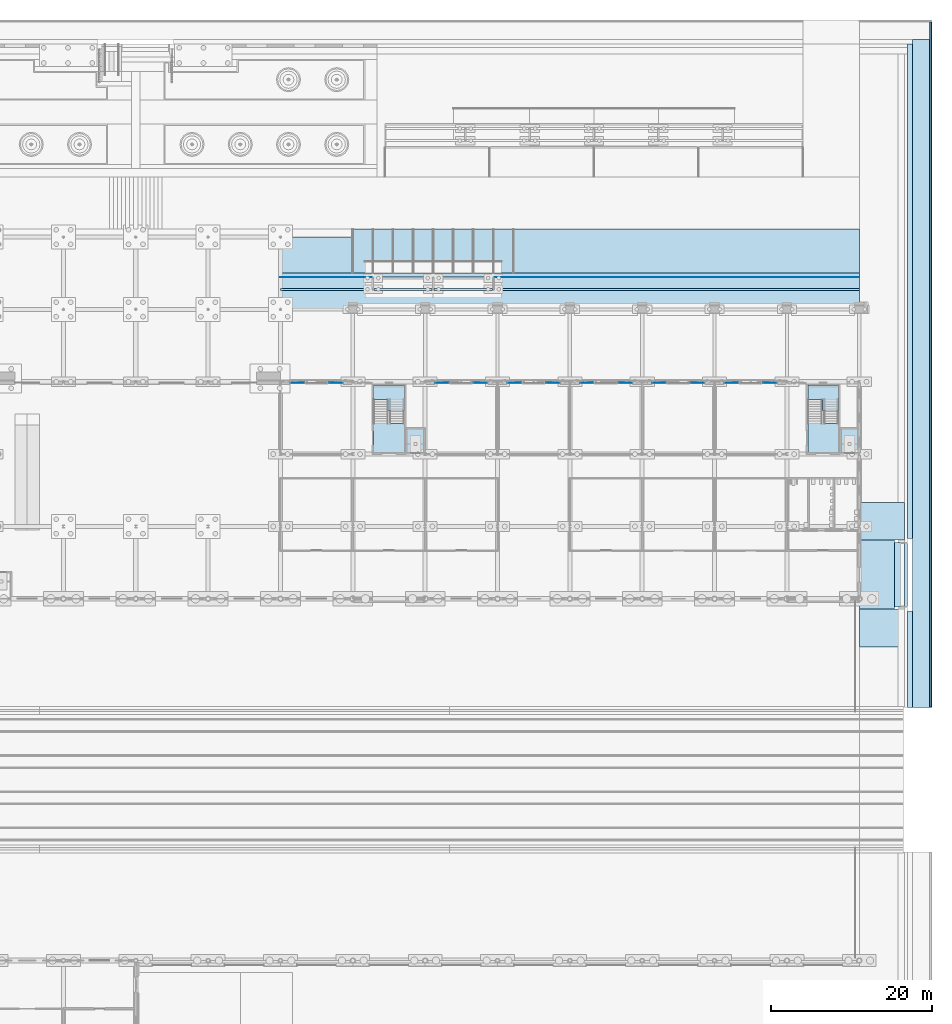
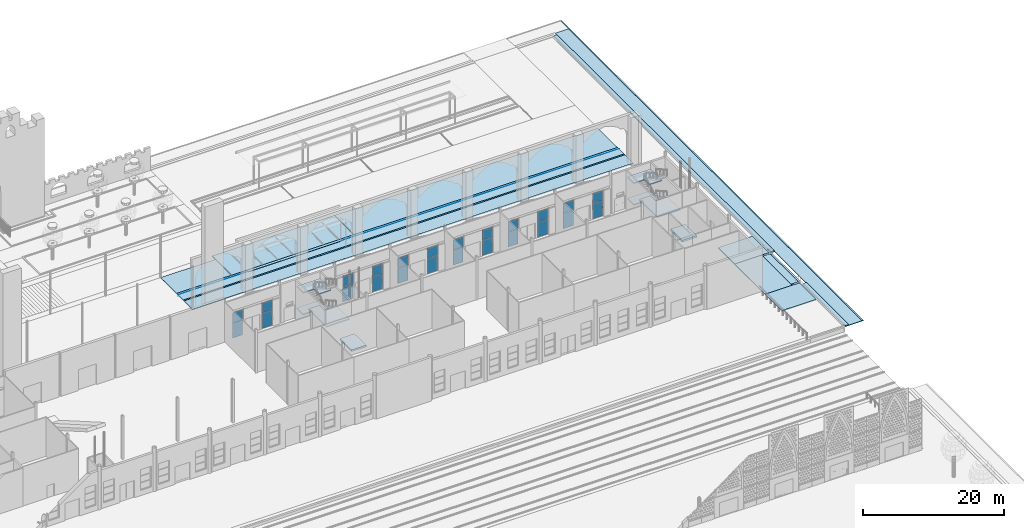
# One storey, part 81 of 250: 29 slabs, 24 plates, 14 elements without a shape of their own.
"""IFC4 building model written with IfcOpenShell, lengths in metres."""

from ifc_helpers import new_model, si_unit, direction, frame, origin, origin_2d, place, context, subcontext, project, spatial, polyline, rectangle, outline, extrude, material, layer, layer_set, type_object, element, aggregate, save


model = new_model("IFC4")

# Units and contexts
model_context = context("Model", 3, precision=1e-05, world=origin(), true_north=direction((0.0, 1.0)))
body_context = subcontext(model_context, "Body", "Model", "MODEL_VIEW")
ifc_project = project(units=[si_unit("LENGTHUNIT", "METRE"), si_unit("AREAUNIT", "SQUARE_METRE"), si_unit("VOLUMEUNIT", "CUBIC_METRE"), si_unit("PLANEANGLEUNIT", "RADIAN"), si_unit("MASSUNIT", "GRAM", prefix="KILO")], contexts=[model_context])

# Site, building, storey
site_placement = place(None, origin())
site = spatial("IfcSite", under=ifc_project, at=site_placement, CompositionType="ELEMENT")
building_placement = place(site_placement, origin())
building = spatial("IfcBuilding", under=site, at=building_placement, Name="Baradari Gate Terminus", CompositionType="ELEMENT")
storey_placement = place(building_placement, origin())
storey = spatial("IfcBuildingStorey", under=building, at=storey_placement, Name="L00", CompositionType="ELEMENT", Elevation=0.0)

# Slabs
ifc_material_1 = material(Name="Concrete C32/40", Category="concrete")
ifc_layer_1 = layer(ifc_material_1, 0.12)
ifc_material_2 = material(Name="Asphalt")
ifc_layer_2 = layer(ifc_material_2, 0.08)
ifc_layer_set_1 = layer_set([ifc_layer_1, ifc_layer_2], Name="Concrete C32/40")
slab_type_1 = type_object("IfcSlabType", Name="Asphalt carriageway slab SL14 200", PredefinedType="BASESLAB", material=ifc_layer_set_1)
slab_1_placement = place(storey_placement, frame((0.0, 0.0, -0.199951171875)))
element("IfcSlab", 1, at=slab_1_placement, inside=storey, type_object=slab_type_1, Name="Taxi rank", PredefinedType="BASESLAB", context=body_context, shape_type="SweptSolid", body=[
    extrude(outline(polyline([(200.0, 121.5), (200.0, 127.0), (180.0, 127.0), (180.0, 121.5), (200.0, 121.5)])), origin(), (0.0, 0.0, 1.0), 0.199951171875),
])
ifc_layer_3 = layer(ifc_material_1, 0.11)
ifc_material_3 = material(Name="Concrete paving flags", Category="concrete")
ifc_layer_4 = layer(ifc_material_3, 0.04)
ifc_layer_set_2 = layer_set([ifc_layer_3, ifc_layer_4], Name="Concrete C32/40")
slab_type_2 = type_object("IfcSlabType", Name="Concrete paving slab SL12 150", PredefinedType="BASESLAB", material=ifc_layer_set_2)
slab_2_placement = place(storey_placement, frame((0.0, 0.0, -0.14990234375)))
element("IfcSlab", 2, at=slab_2_placement, inside=storey, type_object=slab_type_2, Name="Forecourt plaza 1", PredefinedType="BASESLAB", context=body_context, shape_type="SweptSolid", body=[
    extrude(outline(polyline([(243.0, 117.0), (243.0, 119.373046875), (171.0, 119.373046875), (171.0, 117.0), (243.0, 117.0)])), origin(), (0.0, 0.0, 1.0), 0.14990234375),
])
slab_3_placement = place(storey_placement, frame((0.0, 0.0, -0.14990234375)))
element("IfcSlab", 3, at=slab_3_placement, inside=storey, type_object=slab_type_2, Name="Forecourt plaza 2", PredefinedType="BASESLAB", context=body_context, shape_type="SweptSolid", body=[
    extrude(outline(polyline([(182.373046875, 119.373046875), (182.373046875, 119.626953125), (171.0, 119.626953125), (171.0, 119.373046875), (182.373046875, 119.373046875)])), origin(), (0.0, 0.0, 1.0), 0.14990234375),
])
slab_4_placement = place(storey_placement, frame((0.0, 0.0, -0.14990234375)))
element("IfcSlab", 4, at=slab_4_placement, inside=storey, type_object=slab_type_2, Name="Forecourt plaza 3", PredefinedType="BASESLAB", context=body_context, shape_type="SweptSolid", body=[
    extrude(outline(polyline([(197.373046875, 119.373046875), (197.373046875, 119.626953125), (190.126953125, 119.626953125), (190.126953125, 119.373046875), (197.373046875, 119.373046875)])), origin(), (0.0, 0.0, 1.0), 0.14990234375),
])
slab_5_placement = place(storey_placement, frame((0.0, 0.0, -0.14990234375)))
element("IfcSlab", 5, at=slab_5_placement, inside=storey, type_object=slab_type_2, Name="Forecourt plaza 4", PredefinedType="BASESLAB", context=body_context, shape_type="SweptSolid", body=[
    extrude(outline(polyline([(243.0, 119.373046875), (243.0, 119.626953125), (197.626953125, 119.626953125), (197.626953125, 119.373046875), (243.0, 119.373046875)])), origin(), (0.0, 0.0, 1.0), 0.14990234375),
])
slab_6_placement = place(storey_placement, frame((0.0, 0.0, -0.14990234375)))
element("IfcSlab", 6, at=slab_6_placement, inside=storey, type_object=slab_type_2, Name="Forecourt plaza 5", PredefinedType="BASESLAB", context=body_context, shape_type="SweptSolid", body=[
    extrude(outline(polyline([(189.873046875, 119.373046875), (189.873046875, 119.626953125), (182.626953125, 119.626953125), (182.626953125, 119.373046875), (189.873046875, 119.373046875)])), origin(), (0.0, 0.0, 1.0), 0.14990234375),
])
slab_7_placement = place(storey_placement, frame((0.0, 0.0, -0.14990234375)))
element("IfcSlab", 7, at=slab_7_placement, inside=storey, type_object=slab_type_2, Name="Forecourt plaza 7", PredefinedType="BASESLAB", context=body_context, shape_type="SweptSolid", body=[
    extrude(outline(polyline([(243.0, 119.626953125), (243.0, 121.0), (171.0, 121.0), (171.0, 119.626953125), (243.0, 119.626953125)])), origin(), (0.0, 0.0, 1.0), 0.14990234375),
])
slab_8_placement = place(storey_placement, frame((0.0, 0.0, -0.14990234375)))
element("IfcSlab", 8, at=slab_8_placement, inside=storey, type_object=slab_type_2, Name="Forecourt plaza 8", PredefinedType="BASESLAB", context=body_context, shape_type="SweptSolid", body=[
    extrude(outline(polyline([(182.373046875, 121.0), (182.373046875, 121.027099609375), (171.0, 121.027099609375), (171.0, 121.0), (182.373046875, 121.0)])), origin(), (0.0, 0.0, 1.0), 0.14990234375),
])
slab_9_placement = place(storey_placement, frame((0.0, 0.0, -0.14990234375)))
element("IfcSlab", 9, at=slab_9_placement, inside=storey, type_object=slab_type_2, Name="Forecourt plaza 9", PredefinedType="BASESLAB", context=body_context, shape_type="SweptSolid", body=[
    extrude(outline(polyline([(243.0, 121.0), (243.0, 121.027099609375), (197.626953125, 121.027099609375), (197.626953125, 121.0), (243.0, 121.0)])), origin(), (0.0, 0.0, 1.0), 0.14990234375),
])
slab_10_placement = place(storey_placement, frame((0.0, 0.0, -0.14990234375)))
element("IfcSlab", 10, at=slab_10_placement, inside=storey, type_object=slab_type_2, Name="Forecourt plaza 10", PredefinedType="BASESLAB", context=body_context, shape_type="SweptSolid", body=[
    extrude(outline(polyline([(243.0, 121.027099609375), (243.0, 121.5), (171.0, 121.5), (171.0, 121.027099609375), (243.0, 121.027099609375)])), origin(), (0.0, 0.0, 1.0), 0.14990234375),
])
slab_11_placement = place(storey_placement, frame((0.0, 0.0, -0.14990234375)))
element("IfcSlab", 11, at=slab_11_placement, inside=storey, type_object=slab_type_2, Name="Forecourt plaza 12", PredefinedType="BASESLAB", context=body_context, shape_type="SweptSolid", body=[
    extrude(outline(polyline([(180.0, 121.5), (180.0, 126.0), (171.0, 126.0), (171.0, 121.5), (180.0, 121.5)])), origin(), (0.0, 0.0, 1.0), 0.14990234375),
])
slab_12_placement = place(storey_placement, frame((0.0, 0.0, -0.14990234375)))
element("IfcSlab", 12, at=slab_12_placement, inside=storey, type_object=slab_type_2, Name="Forecourt plaza 14", PredefinedType="BASESLAB", context=body_context, shape_type="SweptSolid", body=[
    extrude(outline(polyline([(243.0, 121.5), (243.0, 127.0), (200.0, 127.0), (200.0, 121.5), (243.0, 121.5)])), origin(), (0.0, 0.0, 1.0), 0.14990234375),
])
slab_13_placement = place(storey_placement, frame((0.0, 0.0, -0.14990234375)))
element("IfcSlab", 13, at=slab_13_placement, inside=storey, type_object=slab_type_2, Name="East footway 1", PredefinedType="BASESLAB", context=body_context, shape_type="SweptSolid", body=[
    extrude(outline(polyline([(248.60009765625, 75.0), (248.60009765625, 79.699951171875), (243.0, 79.699951171875), (243.0, 75.0), (248.60009765625, 75.0)])), origin(), (0.0, 0.0, 1.0), 0.14990234375),
])
slab_14_placement = place(storey_placement, frame((0.0, 0.0, -0.14990234375)))
element("IfcSlab", 14, at=slab_14_placement, inside=storey, type_object=slab_type_2, Name="East footway 2", PredefinedType="BASESLAB", context=body_context, shape_type="SweptSolid", body=[
    extrude(outline(polyline([(247.39990234375, 79.699951171875), (247.39990234375, 88.300048828125), (243.0, 88.300048828125), (243.0, 79.699951171875), (247.39990234375, 79.699951171875)])), origin(), (0.0, 0.0, 1.0), 0.14990234375),
])
slab_15_placement = place(storey_placement, frame((0.0, 0.0, -0.14990234375)))
element("IfcSlab", 15, at=slab_15_placement, inside=storey, type_object=slab_type_2, Name="East footway 3", PredefinedType="BASESLAB", context=body_context, shape_type="SweptSolid", body=[
    extrude(outline(polyline([(248.60009765625, 88.300048828125), (248.60009765625, 93.0), (243.0, 93.0), (243.0, 88.300048828125), (248.60009765625, 88.300048828125)])), origin(), (0.0, 0.0, 1.0), 0.14990234375),
])

# Curtain wall, plates
ifc_material_4 = material(Name="Aluminium 6063-T6", Category="aluminium")
curtain_wall_type = type_object("IfcCurtainWallType", Name="Curtain wall CW-2 shopfront", PredefinedType="NOTDEFINED", material=ifc_material_4)
curtain_wall_1_placement = place(storey_placement, origin())
curtain_wall_1 = element("IfcCurtainWall", 16, at=curtain_wall_1_placement, inside=storey, type_object=curtain_wall_type, Name="Shopfront curtain wall CW-2 HN bay 19 L00", PredefinedType="NOTDEFINED")
ifc_material_5 = material(Name="Insulating glass unit", Category="glass")
ifc_layer_5 = layer(ifc_material_5, 0.02001953125)
ifc_layer_set_3 = layer_set([ifc_layer_5], Name="Insulating glass unit")
plate_type = type_object("IfcPlateType", Name="Curtain wall glazing unit CP-2 20", PredefinedType="CURTAIN_PANEL", material=ifc_layer_set_3)
plate_1_placement = place(storey_placement, frame((173.10009765625, 107.87841796875, 0.06494140625), z_axis=(0.0, 0.0, 1.0), x_axis=(1.0, 0.0, 0.0)))
plate_1 = element("IfcPlate", 17, at=plate_1_placement, type_object=plate_type, Name="CW-2 panel 1.1", PredefinedType="CURTAIN_PANEL", context=body_context, shape_type="SweptSolid", body=[
    extrude(rectangle(XDim=1.669921875, YDim=0.02001953125, at=origin_2d()), origin(), (0.0, 0.0, 1.0), 2.6025390625),
])
plate_2_placement = place(storey_placement, frame((173.10009765625, 107.87841796875, 2.732421875), z_axis=(0.0, 0.0, 1.0), x_axis=(1.0, 0.0, 0.0)))
plate_2 = element("IfcPlate", 18, at=plate_2_placement, type_object=plate_type, Name="CW-2 panel 1.2", PredefinedType="CURTAIN_PANEL", context=body_context, shape_type="SweptSolid", body=[
    extrude(rectangle(XDim=1.669921875, YDim=0.02001953125, at=origin_2d()), origin(), (0.0, 0.0, 1.0), 1.702392578125),
])
aggregate(curtain_wall_1, [plate_1, plate_2])

curtain_wall_2_placement = place(storey_placement, origin())
curtain_wall_2 = element("IfcCurtainWall", 19, at=curtain_wall_2_placement, inside=storey, type_object=curtain_wall_type, Name="Shopfront curtain wall CW-2 HN bay 19 L00", PredefinedType="NOTDEFINED")
plate_3_placement = place(storey_placement, frame((177.89990234375, 107.87841796875, 0.06494140625), z_axis=(0.0, 0.0, 1.0), x_axis=(1.0, 0.0, 0.0)))
plate_3 = element("IfcPlate", 20, at=plate_3_placement, type_object=plate_type, Name="CW-2 panel 1.1", PredefinedType="CURTAIN_PANEL", context=body_context, shape_type="SweptSolid", body=[
    extrude(rectangle(XDim=1.669921875, YDim=0.02001953125, at=origin_2d()), origin(), (0.0, 0.0, 1.0), 2.6025390625),
])
plate_4_placement = place(storey_placement, frame((177.89990234375, 107.87841796875, 2.732421875), z_axis=(0.0, 0.0, 1.0), x_axis=(1.0, 0.0, 0.0)))
plate_4 = element("IfcPlate", 21, at=plate_4_placement, type_object=plate_type, Name="CW-2 panel 1.2", PredefinedType="CURTAIN_PANEL", context=body_context, shape_type="SweptSolid", body=[
    extrude(rectangle(XDim=1.669921875, YDim=0.02001953125, at=origin_2d()), origin(), (0.0, 0.0, 1.0), 1.702392578125),
])
aggregate(curtain_wall_2, [plate_3, plate_4])

curtain_wall_3_placement = place(storey_placement, origin())
curtain_wall_3 = element("IfcCurtainWall", 22, at=curtain_wall_3_placement, inside=storey, type_object=curtain_wall_type, Name="Shopfront curtain wall CW-2 HN bay 21 L00", PredefinedType="NOTDEFINED")
plate_5_placement = place(storey_placement, frame((191.10009765625, 107.87841796875, 0.06494140625), z_axis=(0.0, 0.0, 1.0), x_axis=(1.0, 0.0, 0.0)))
plate_5 = element("IfcPlate", 23, at=plate_5_placement, type_object=plate_type, Name="CW-2 panel 1.1", PredefinedType="CURTAIN_PANEL", context=body_context, shape_type="SweptSolid", body=[
    extrude(rectangle(XDim=1.669921875, YDim=0.02001953125, at=origin_2d()), origin(), (0.0, 0.0, 1.0), 2.6025390625),
])
plate_6_placement = place(storey_placement, frame((191.10009765625, 107.87841796875, 2.732421875), z_axis=(0.0, 0.0, 1.0), x_axis=(1.0, 0.0, 0.0)))
plate_6 = element("IfcPlate", 24, at=plate_6_placement, type_object=plate_type, Name="CW-2 panel 1.2", PredefinedType="CURTAIN_PANEL", context=body_context, shape_type="SweptSolid", body=[
    extrude(rectangle(XDim=1.669921875, YDim=0.02001953125, at=origin_2d()), origin(), (0.0, 0.0, 1.0), 1.702392578125),
])
aggregate(curtain_wall_3, [plate_5, plate_6])

curtain_wall_4_placement = place(storey_placement, origin())
curtain_wall_4 = element("IfcCurtainWall", 25, at=curtain_wall_4_placement, inside=storey, type_object=curtain_wall_type, Name="Shopfront curtain wall CW-2 HN bay 21 L00", PredefinedType="NOTDEFINED")
plate_7_placement = place(storey_placement, frame((195.89990234375, 107.87841796875, 0.06494140625), z_axis=(0.0, 0.0, 1.0), x_axis=(1.0, 0.0, 0.0)))
plate_7 = element("IfcPlate", 26, at=plate_7_placement, type_object=plate_type, Name="CW-2 panel 1.1", PredefinedType="CURTAIN_PANEL", context=body_context, shape_type="SweptSolid", body=[
    extrude(rectangle(XDim=1.669921875, YDim=0.02001953125, at=origin_2d()), origin(), (0.0, 0.0, 1.0), 2.6025390625),
])
plate_8_placement = place(storey_placement, frame((195.89990234375, 107.87841796875, 2.732421875), z_axis=(0.0, 0.0, 1.0), x_axis=(1.0, 0.0, 0.0)))
plate_8 = element("IfcPlate", 27, at=plate_8_placement, type_object=plate_type, Name="CW-2 panel 1.2", PredefinedType="CURTAIN_PANEL", context=body_context, shape_type="SweptSolid", body=[
    extrude(rectangle(XDim=1.669921875, YDim=0.02001953125, at=origin_2d()), origin(), (0.0, 0.0, 1.0), 1.702392578125),
])
aggregate(curtain_wall_4, [plate_7, plate_8])

curtain_wall_5_placement = place(storey_placement, origin())
curtain_wall_5 = element("IfcCurtainWall", 28, at=curtain_wall_5_placement, inside=storey, type_object=curtain_wall_type, Name="Shopfront curtain wall CW-2 HN bay 22 L00", PredefinedType="NOTDEFINED")
plate_9_placement = place(storey_placement, frame((200.10009765625, 107.87841796875, 0.06494140625), z_axis=(0.0, 0.0, 1.0), x_axis=(1.0, 0.0, 0.0)))
plate_9 = element("IfcPlate", 29, at=plate_9_placement, type_object=plate_type, Name="CW-2 panel 1.1", PredefinedType="CURTAIN_PANEL", context=body_context, shape_type="SweptSolid", body=[
    extrude(rectangle(XDim=1.669921875, YDim=0.02001953125, at=origin_2d()), origin(), (0.0, 0.0, 1.0), 2.6025390625),
])
plate_10_placement = place(storey_placement, frame((200.10009765625, 107.87841796875, 2.732421875), z_axis=(0.0, 0.0, 1.0), x_axis=(1.0, 0.0, 0.0)))
plate_10 = element("IfcPlate", 30, at=plate_10_placement, type_object=plate_type, Name="CW-2 panel 1.2", PredefinedType="CURTAIN_PANEL", context=body_context, shape_type="SweptSolid", body=[
    extrude(rectangle(XDim=1.669921875, YDim=0.02001953125, at=origin_2d()), origin(), (0.0, 0.0, 1.0), 1.702392578125),
])
aggregate(curtain_wall_5, [plate_9, plate_10])

curtain_wall_6_placement = place(storey_placement, origin())
curtain_wall_6 = element("IfcCurtainWall", 31, at=curtain_wall_6_placement, inside=storey, type_object=curtain_wall_type, Name="Shopfront curtain wall CW-2 HN bay 22 L00", PredefinedType="NOTDEFINED")
plate_11_placement = place(storey_placement, frame((204.89990234375, 107.87841796875, 0.06494140625), z_axis=(0.0, 0.0, 1.0), x_axis=(1.0, 0.0, 0.0)))
plate_11 = element("IfcPlate", 32, at=plate_11_placement, type_object=plate_type, Name="CW-2 panel 1.1", PredefinedType="CURTAIN_PANEL", context=body_context, shape_type="SweptSolid", body=[
    extrude(rectangle(XDim=1.669921875, YDim=0.02001953125, at=origin_2d()), origin(), (0.0, 0.0, 1.0), 2.6025390625),
])
plate_12_placement = place(storey_placement, frame((204.89990234375, 107.87841796875, 2.732421875), z_axis=(0.0, 0.0, 1.0), x_axis=(1.0, 0.0, 0.0)))
plate_12 = element("IfcPlate", 33, at=plate_12_placement, type_object=plate_type, Name="CW-2 panel 1.2", PredefinedType="CURTAIN_PANEL", context=body_context, shape_type="SweptSolid", body=[
    extrude(rectangle(XDim=1.669921875, YDim=0.02001953125, at=origin_2d()), origin(), (0.0, 0.0, 1.0), 1.702392578125),
])
aggregate(curtain_wall_6, [plate_11, plate_12])

curtain_wall_7_placement = place(storey_placement, origin())
curtain_wall_7 = element("IfcCurtainWall", 34, at=curtain_wall_7_placement, inside=storey, type_object=curtain_wall_type, Name="Shopfront curtain wall CW-2 HN bay 23 L00", PredefinedType="NOTDEFINED")
plate_13_placement = place(storey_placement, frame((209.10009765625, 107.87841796875, 0.06494140625), z_axis=(0.0, 0.0, 1.0), x_axis=(1.0, 0.0, 0.0)))
plate_13 = element("IfcPlate", 35, at=plate_13_placement, type_object=plate_type, Name="CW-2 panel 1.1", PredefinedType="CURTAIN_PANEL", context=body_context, shape_type="SweptSolid", body=[
    extrude(rectangle(XDim=1.669921875, YDim=0.02001953125, at=origin_2d()), origin(), (0.0, 0.0, 1.0), 2.6025390625),
])
plate_14_placement = place(storey_placement, frame((209.10009765625, 107.87841796875, 2.732421875), z_axis=(0.0, 0.0, 1.0), x_axis=(1.0, 0.0, 0.0)))
plate_14 = element("IfcPlate", 36, at=plate_14_placement, type_object=plate_type, Name="CW-2 panel 1.2", PredefinedType="CURTAIN_PANEL", context=body_context, shape_type="SweptSolid", body=[
    extrude(rectangle(XDim=1.669921875, YDim=0.02001953125, at=origin_2d()), origin(), (0.0, 0.0, 1.0), 1.702392578125),
])
aggregate(curtain_wall_7, [plate_13, plate_14])

curtain_wall_8_placement = place(storey_placement, origin())
curtain_wall_8 = element("IfcCurtainWall", 37, at=curtain_wall_8_placement, inside=storey, type_object=curtain_wall_type, Name="Shopfront curtain wall CW-2 HN bay 23 L00", PredefinedType="NOTDEFINED")
plate_15_placement = place(storey_placement, frame((213.89990234375, 107.87841796875, 0.06494140625), z_axis=(0.0, 0.0, 1.0), x_axis=(1.0, 0.0, 0.0)))
plate_15 = element("IfcPlate", 38, at=plate_15_placement, type_object=plate_type, Name="CW-2 panel 1.1", PredefinedType="CURTAIN_PANEL", context=body_context, shape_type="SweptSolid", body=[
    extrude(rectangle(XDim=1.669921875, YDim=0.02001953125, at=origin_2d()), origin(), (0.0, 0.0, 1.0), 2.6025390625),
])
plate_16_placement = place(storey_placement, frame((213.89990234375, 107.87841796875, 2.732421875), z_axis=(0.0, 0.0, 1.0), x_axis=(1.0, 0.0, 0.0)))
plate_16 = element("IfcPlate", 39, at=plate_16_placement, type_object=plate_type, Name="CW-2 panel 1.2", PredefinedType="CURTAIN_PANEL", context=body_context, shape_type="SweptSolid", body=[
    extrude(rectangle(XDim=1.669921875, YDim=0.02001953125, at=origin_2d()), origin(), (0.0, 0.0, 1.0), 1.702392578125),
])
aggregate(curtain_wall_8, [plate_15, plate_16])

curtain_wall_9_placement = place(storey_placement, origin())
curtain_wall_9 = element("IfcCurtainWall", 40, at=curtain_wall_9_placement, inside=storey, type_object=curtain_wall_type, Name="Shopfront curtain wall CW-2 HN bay 24 L00", PredefinedType="NOTDEFINED")
plate_17_placement = place(storey_placement, frame((218.10009765625, 107.87841796875, 0.06494140625), z_axis=(0.0, 0.0, 1.0), x_axis=(1.0, 0.0, 0.0)))
plate_17 = element("IfcPlate", 41, at=plate_17_placement, type_object=plate_type, Name="CW-2 panel 1.1", PredefinedType="CURTAIN_PANEL", context=body_context, shape_type="SweptSolid", body=[
    extrude(rectangle(XDim=1.669921875, YDim=0.02001953125, at=origin_2d()), origin(), (0.0, 0.0, 1.0), 2.6025390625),
])
plate_18_placement = place(storey_placement, frame((218.10009765625, 107.87841796875, 2.732421875), z_axis=(0.0, 0.0, 1.0), x_axis=(1.0, 0.0, 0.0)))
plate_18 = element("IfcPlate", 42, at=plate_18_placement, type_object=plate_type, Name="CW-2 panel 1.2", PredefinedType="CURTAIN_PANEL", context=body_context, shape_type="SweptSolid", body=[
    extrude(rectangle(XDim=1.669921875, YDim=0.02001953125, at=origin_2d()), origin(), (0.0, 0.0, 1.0), 1.702392578125),
])
aggregate(curtain_wall_9, [plate_17, plate_18])

curtain_wall_10_placement = place(storey_placement, origin())
curtain_wall_10 = element("IfcCurtainWall", 43, at=curtain_wall_10_placement, inside=storey, type_object=curtain_wall_type, Name="Shopfront curtain wall CW-2 HN bay 24 L00", PredefinedType="NOTDEFINED")
plate_19_placement = place(storey_placement, frame((222.89990234375, 107.87841796875, 0.06494140625), z_axis=(0.0, 0.0, 1.0), x_axis=(1.0, 0.0, 0.0)))
plate_19 = element("IfcPlate", 44, at=plate_19_placement, type_object=plate_type, Name="CW-2 panel 1.1", PredefinedType="CURTAIN_PANEL", context=body_context, shape_type="SweptSolid", body=[
    extrude(rectangle(XDim=1.669921875, YDim=0.02001953125, at=origin_2d()), origin(), (0.0, 0.0, 1.0), 2.6025390625),
])
plate_20_placement = place(storey_placement, frame((222.89990234375, 107.87841796875, 2.732421875), z_axis=(0.0, 0.0, 1.0), x_axis=(1.0, 0.0, 0.0)))
plate_20 = element("IfcPlate", 45, at=plate_20_placement, type_object=plate_type, Name="CW-2 panel 1.2", PredefinedType="CURTAIN_PANEL", context=body_context, shape_type="SweptSolid", body=[
    extrude(rectangle(XDim=1.669921875, YDim=0.02001953125, at=origin_2d()), origin(), (0.0, 0.0, 1.0), 1.702392578125),
])
aggregate(curtain_wall_10, [plate_19, plate_20])

curtain_wall_11_placement = place(storey_placement, origin())
curtain_wall_11 = element("IfcCurtainWall", 46, at=curtain_wall_11_placement, inside=storey, type_object=curtain_wall_type, Name="Shopfront curtain wall CW-2 HN bay 25 L00", PredefinedType="NOTDEFINED")
plate_21_placement = place(storey_placement, frame((227.10009765625, 107.87841796875, 0.06494140625), z_axis=(0.0, 0.0, 1.0), x_axis=(1.0, 0.0, 0.0)))
plate_21 = element("IfcPlate", 47, at=plate_21_placement, type_object=plate_type, Name="CW-2 panel 1.1", PredefinedType="CURTAIN_PANEL", context=body_context, shape_type="SweptSolid", body=[
    extrude(rectangle(XDim=1.669921875, YDim=0.02001953125, at=origin_2d()), origin(), (0.0, 0.0, 1.0), 2.6025390625),
])
plate_22_placement = place(storey_placement, frame((227.10009765625, 107.87841796875, 2.732421875), z_axis=(0.0, 0.0, 1.0), x_axis=(1.0, 0.0, 0.0)))
plate_22 = element("IfcPlate", 48, at=plate_22_placement, type_object=plate_type, Name="CW-2 panel 1.2", PredefinedType="CURTAIN_PANEL", context=body_context, shape_type="SweptSolid", body=[
    extrude(rectangle(XDim=1.669921875, YDim=0.02001953125, at=origin_2d()), origin(), (0.0, 0.0, 1.0), 1.702392578125),
])
aggregate(curtain_wall_11, [plate_21, plate_22])

curtain_wall_12_placement = place(storey_placement, origin())
curtain_wall_12 = element("IfcCurtainWall", 49, at=curtain_wall_12_placement, inside=storey, type_object=curtain_wall_type, Name="Shopfront curtain wall CW-2 HN bay 25 L00", PredefinedType="NOTDEFINED")
plate_23_placement = place(storey_placement, frame((231.89990234375, 107.87841796875, 0.06494140625), z_axis=(0.0, 0.0, 1.0), x_axis=(1.0, 0.0, 0.0)))
plate_23 = element("IfcPlate", 50, at=plate_23_placement, type_object=plate_type, Name="CW-2 panel 1.1", PredefinedType="CURTAIN_PANEL", context=body_context, shape_type="SweptSolid", body=[
    extrude(rectangle(XDim=1.669921875, YDim=0.02001953125, at=origin_2d()), origin(), (0.0, 0.0, 1.0), 2.6025390625),
])
plate_24_placement = place(storey_placement, frame((231.89990234375, 107.87841796875, 2.732421875), z_axis=(0.0, 0.0, 1.0), x_axis=(1.0, 0.0, 0.0)))
plate_24 = element("IfcPlate", 51, at=plate_24_placement, type_object=plate_type, Name="CW-2 panel 1.2", PredefinedType="CURTAIN_PANEL", context=body_context, shape_type="SweptSolid", body=[
    extrude(rectangle(XDim=1.669921875, YDim=0.02001953125, at=origin_2d()), origin(), (0.0, 0.0, 1.0), 1.702392578125),
])
aggregate(curtain_wall_12, [plate_23, plate_24])

# Slabs
ifc_material_6 = material(Name="Concrete C32/40", Category="concrete")
ifc_layer_6 = layer(ifc_material_6, 0.260009765625)
ifc_layer_set_4 = layer_set([ifc_layer_6], Name="Concrete C32/40")
slab_type_3 = type_object("IfcSlabType", Name="Entrance landing slab SL15 260", PredefinedType="BASESLAB", material=ifc_layer_set_4)
slab_16_placement = place(storey_placement, frame((0.0, 0.0, -0.260009765625)))
element("IfcSlab", 52, at=slab_16_placement, inside=storey, type_object=slab_type_3, Name="Entrance landing East exit gate steps", PredefinedType="BASESLAB", context=body_context, shape_type="SweptSolid", body=[
    extrude(outline(polyline([(248.60009765625, 80.0), (248.60009765625, 88.0), (247.39990234375, 88.0), (247.39990234375, 80.0), (248.60009765625, 80.0)])), origin(), (0.0, 0.0, 1.0), 0.260009765625),
])
ifc_material_7 = material(Name="Concrete C32/40", Category="concrete")
ifc_layer_7 = layer(ifc_material_7, 0.1298828125)
ifc_layer_set_5 = layer_set([ifc_layer_7], Name="Concrete C32/40")
slab_type_4 = type_object("IfcSlabType", Name="Entrance step slab SL16 130", PredefinedType="LANDING", material=ifc_layer_set_5)
slab_17_placement = place(storey_placement, frame((0.0, 0.0, -0.260009765625)))
element("IfcSlab", 53, at=slab_17_placement, inside=storey, type_object=slab_type_4, Name="Entrance step 1 East exit gate", PredefinedType="LANDING", context=body_context, shape_type="SweptSolid", body=[
    extrude(outline(polyline([(248.998046875, 80.0), (248.998046875, 88.0), (248.60009765625, 88.0), (248.60009765625, 80.0), (248.998046875, 80.0)])), origin(), (0.0, 0.0, 1.0), 0.130126953125),
])
ifc_layer_8 = layer(ifc_material_1, 0.04)
ifc_layer_9 = layer(ifc_material_3, 0.04)
ifc_layer_set_6 = layer_set([ifc_layer_8, ifc_layer_9], Name="Concrete C32/40")
slab_type_5 = type_object("IfcSlabType", Name="Footpath paving slab SL19 80", PredefinedType="BASESLAB", material=ifc_layer_set_6)
slab_18_placement = place(storey_placement, frame((0.0, 0.0, -0.340087890625)))
element("IfcSlab", 54, at=slab_18_placement, inside=storey, type_object=slab_type_5, Name="Footpath 3", PredefinedType="BASESLAB", context=body_context, shape_type="SweptSolid", body=[
    extrude(outline(polyline([(251.800048828125, 67.5), (251.800048828125, 150.60009765625), (249.60009765625, 150.60009765625), (249.60009765625, 67.5), (251.800048828125, 67.5)])), origin(), (0.0, 0.0, 1.0), 0.080078125),
])
ifc_layer_10 = layer(ifc_material_1, 0.04)
ifc_material_8 = material(Name="Granite kerb", Category="masonry")
ifc_layer_11 = layer(ifc_material_8, 0.04)
ifc_layer_set_7 = layer_set([ifc_layer_10, ifc_layer_11], Name="Concrete C32/40")
slab_type_6 = type_object("IfcSlabType", Name="Granite kerb course SL20 80", PredefinedType="BASESLAB", material=ifc_layer_set_7)
slab_19_placement = place(storey_placement, frame((0.0, 0.0, -0.340087890625)))
element("IfcSlab", 55, at=slab_19_placement, inside=storey, type_object=slab_type_6, Name="Kerb course 3", PredefinedType="BASESLAB", context=body_context, shape_type="SweptSolid", body=[
    extrude(outline(polyline([(252.0, 67.5), (252.0, 152.800048828125), (251.800048828125, 152.800048828125), (251.800048828125, 67.5), (252.0, 67.5)])), origin(), (0.0, 0.0, 1.0), 0.080078125),
])
ifc_material_9 = material(Name="Concrete C32/40", Category="concrete")
ifc_layer_12 = layer(ifc_material_9, 0.300048828125)
ifc_layer_set_8 = layer_set([ifc_layer_12], Name="Concrete C32/40")
slab_type_7 = type_object("IfcSlabType", Name="Lift pit slab LP-1 300", PredefinedType="BASESLAB", material=ifc_layer_set_8)
slab_20_placement = place(storey_placement, frame((0.0, 0.0, -1.89990234375)))
element("IfcSlab", 56, at=slab_20_placement, inside=storey, type_object=slab_type_7, Name="Lift pit slab LP-1 LH3", PredefinedType="BASESLAB", context=body_context, shape_type="SweptSolid", body=[
    extrude(outline(polyline([(186.60009765625, 99.0), (186.60009765625, 102.300048828125), (189.0, 102.300048828125), (189.0, 99.0), (186.60009765625, 99.0)])), origin(), (0.0, 0.0, 1.0), 0.2998046875),
])
slab_21_placement = place(storey_placement, frame((0.0, 0.0, -1.89990234375)))
element("IfcSlab", 57, at=slab_21_placement, inside=storey, type_object=slab_type_7, Name="Lift pit slab LP-1 LH4", PredefinedType="BASESLAB", context=body_context, shape_type="SweptSolid", body=[
    extrude(outline(polyline([(240.60009765625, 99.0), (240.60009765625, 102.300048828125), (243.0, 102.300048828125), (243.0, 99.0), (240.60009765625, 99.0)])), origin(), (0.0, 0.0, 1.0), 0.2998046875),
])
ifc_material_10 = material(Name="Sandstone masonry", Category="masonry")
ifc_layer_13 = layer(ifc_material_10, 0.2099609375)
ifc_layer_set_9 = layer_set([ifc_layer_13], Name="Sandstone masonry")
slab_type_8 = type_object("IfcSlabType", Name="Sandstone plinth step PL-1 210", PredefinedType="BASESLAB", material=ifc_layer_set_9)
slab_22_placement = place(storey_placement, frame((0.0, 0.0, -0.340087890625)))
element("IfcSlab", 58, at=slab_22_placement, inside=storey, type_object=slab_type_8, Name="Plinth step 3", PredefinedType="BASESLAB", context=body_context, shape_type="SweptSolid", body=[
    extrude(outline(polyline([(249.60009765625, 67.5), (249.60009765625, 79.5), (249.0, 79.5), (249.0, 67.5), (249.60009765625, 67.5)])), origin(), (0.0, 0.0, 1.0), 0.210205078125),
])
slab_23_placement = place(storey_placement, frame((0.0, 0.0, -0.340087890625)))
element("IfcSlab", 59, at=slab_23_placement, inside=storey, type_object=slab_type_8, Name="Plinth step 4", PredefinedType="BASESLAB", context=body_context, shape_type="SweptSolid", body=[
    extrude(outline(polyline([(249.60009765625, 88.5), (249.60009765625, 150.0), (249.0, 150.0), (249.0, 88.5), (249.60009765625, 88.5)])), origin(), (0.0, 0.0, 1.0), 0.210205078125),
])

# Stair, slabs
ifc_material_11 = material(Name="Concrete C32/40", Category="concrete")
stair_type_1 = type_object("IfcStairType", Name="Exit stair ST-H3 riser 170 x 1800", PredefinedType="DOUBLE_RETURN_STAIR", material=ifc_material_11)
stair_1_placement = place(storey_placement, origin())
stair_1 = element("IfcStair", 60, at=stair_1_placement, inside=storey, type_object=stair_type_1, Name="Stair ST-H3 L00 to L01", PredefinedType="DOUBLE_RETURN_STAIR")
ifc_material_12 = material(Name="Concrete C32/40", Category="concrete")
ifc_layer_14 = layer(ifc_material_12, 0.175048828125)
ifc_layer_set_10 = layer_set([ifc_layer_14], Name="Concrete C32/40")
slab_type_9 = type_object("IfcSlabType", Name="Stair landing LS-4 175", PredefinedType="LANDING", material=ifc_layer_set_10)
slab_24_placement = place(storey_placement, frame((0.0, 0.0, 1.699951171875)))
slab_24 = element("IfcSlab", 61, at=slab_24_placement, type_object=slab_type_9, Name="ST-H3 landing 1", PredefinedType="LANDING", context=body_context, shape_type="SweptSolid", body=[
    extrude(outline(polyline([(182.60009765625, 107.60009765625), (182.60009765625, 105.780029296875), (184.39990234375, 105.780029296875), (184.39990234375, 104.39990234375), (184.60009765625, 104.39990234375), (186.39990234375, 104.39990234375), (186.39990234375, 107.60009765625), (182.60009765625, 107.60009765625)])), origin(), (0.0, 0.0, 1.0), 0.175048828125),
])
slab_25_placement = place(storey_placement, frame((0.0, 0.0, 3.574951171875)))
slab_25 = element("IfcSlab", 62, at=slab_25_placement, type_object=slab_type_9, Name="ST-H3 landing 2", PredefinedType="LANDING", context=body_context, shape_type="SweptSolid", body=[
    extrude(outline(polyline([(182.60009765625, 99.199951171875), (182.60009765625, 104.199951171875), (184.39990234375, 104.199951171875), (184.39990234375, 102.820068359375), (184.60009765625, 102.820068359375), (186.39990234375, 102.820068359375), (186.39990234375, 99.199951171875), (182.60009765625, 99.199951171875)])), origin(), (0.0, 0.0, 1.0), 0.175048828125),
])
slab_26_placement = place(storey_placement, frame((0.0, 0.0, 5.449951171875)))
slab_26 = element("IfcSlab", 63, at=slab_26_placement, type_object=slab_type_9, Name="ST-H3 landing 3", PredefinedType="LANDING", context=body_context, shape_type="SweptSolid", body=[
    extrude(outline(polyline([(182.60009765625, 107.60009765625), (182.60009765625, 105.780029296875), (184.39990234375, 105.780029296875), (184.39990234375, 104.39990234375), (184.60009765625, 104.39990234375), (186.39990234375, 104.39990234375), (186.39990234375, 107.60009765625), (182.60009765625, 107.60009765625)])), origin(), (0.0, 0.0, 1.0), 0.175048828125),
])
aggregate(stair_1, [slab_24, slab_25, slab_26])

ifc_material_13 = material(Name="Concrete C32/40", Category="concrete")
stair_type_2 = type_object("IfcStairType", Name="Exit stair ST-H4 riser 170 x 1800", PredefinedType="DOUBLE_RETURN_STAIR", material=ifc_material_13)
stair_2_placement = place(storey_placement, origin())
stair_2 = element("IfcStair", 64, at=stair_2_placement, inside=storey, type_object=stair_type_2, Name="Stair ST-H4 L00 to L01", PredefinedType="DOUBLE_RETURN_STAIR")
slab_27_placement = place(storey_placement, frame((0.0, 0.0, 1.699951171875)))
slab_27 = element("IfcSlab", 65, at=slab_27_placement, type_object=slab_type_9, Name="ST-H4 landing 1", PredefinedType="LANDING", context=body_context, shape_type="SweptSolid", body=[
    extrude(outline(polyline([(236.60009765625, 107.60009765625), (236.60009765625, 105.780029296875), (238.39990234375, 105.780029296875), (238.39990234375, 104.39990234375), (238.60009765625, 104.39990234375), (240.39990234375, 104.39990234375), (240.39990234375, 107.60009765625), (236.60009765625, 107.60009765625)])), origin(), (0.0, 0.0, 1.0), 0.175048828125),
])
slab_28_placement = place(storey_placement, frame((0.0, 0.0, 3.574951171875)))
slab_28 = element("IfcSlab", 66, at=slab_28_placement, type_object=slab_type_9, Name="ST-H4 landing 2", PredefinedType="LANDING", context=body_context, shape_type="SweptSolid", body=[
    extrude(outline(polyline([(236.60009765625, 99.199951171875), (236.60009765625, 104.199951171875), (238.39990234375, 104.199951171875), (238.39990234375, 102.820068359375), (238.60009765625, 102.820068359375), (240.39990234375, 102.820068359375), (240.39990234375, 99.199951171875), (236.60009765625, 99.199951171875)])), origin(), (0.0, 0.0, 1.0), 0.175048828125),
])
slab_29_placement = place(storey_placement, frame((0.0, 0.0, 5.449951171875)))
slab_29 = element("IfcSlab", 67, at=slab_29_placement, type_object=slab_type_9, Name="ST-H4 landing 3", PredefinedType="LANDING", context=body_context, shape_type="SweptSolid", body=[
    extrude(outline(polyline([(236.60009765625, 107.60009765625), (236.60009765625, 105.780029296875), (238.39990234375, 105.780029296875), (238.39990234375, 104.39990234375), (238.60009765625, 104.39990234375), (240.39990234375, 104.39990234375), (240.39990234375, 107.60009765625), (236.60009765625, 107.60009765625)])), origin(), (0.0, 0.0, 1.0), 0.175048828125),
])
aggregate(stair_2, [slab_27, slab_28, slab_29])

save(model, "model.ifc")
